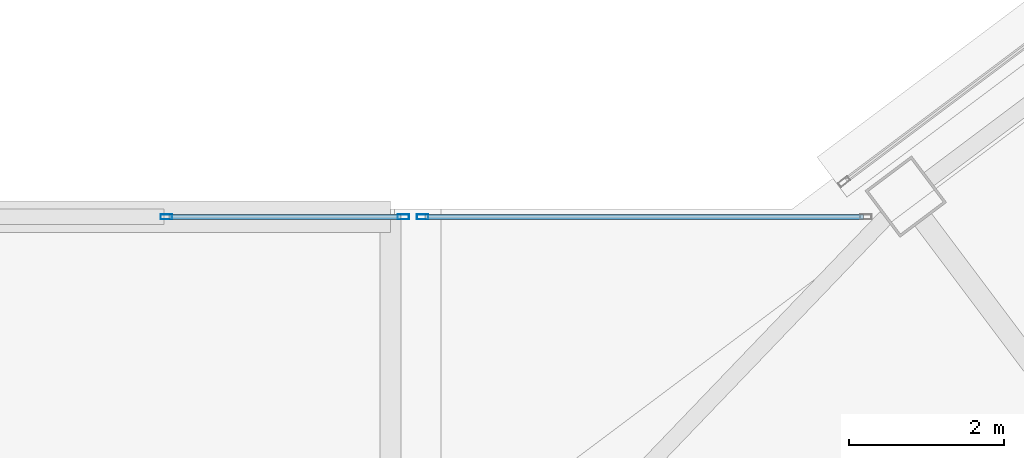
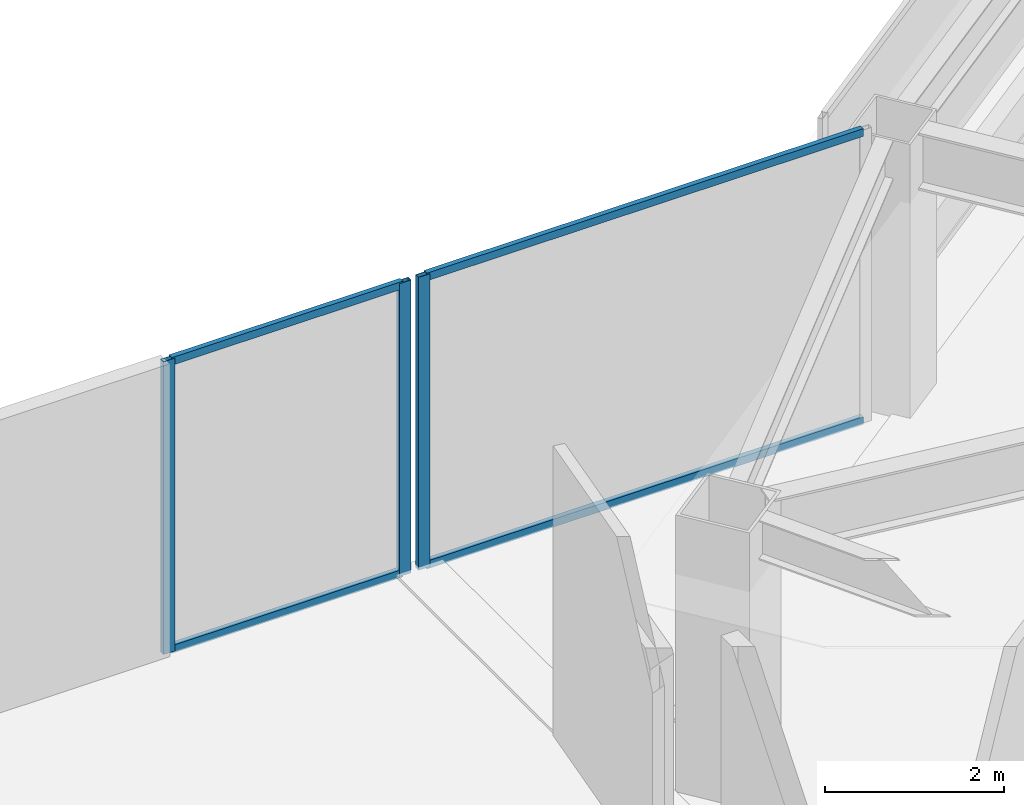
# One storey, part 25 of 51: 7 members, 2 elements without a shape of their own.
"""IFC4 building model written with IfcOpenShell, lengths in metres."""

from ifc_helpers import new_model, si_unit, direction, frame, origin, origin_2d, place, context, subcontext, project, spatial, hollow_rectangle, extrude, material, material_profile, profile_set, type_object, element, aggregate, save


model = new_model("IFC4")

# Units and contexts
model_context = context("Model", 3, precision=1e-05, world=origin(), true_north=direction((0.0, 1.0)))
body_context = subcontext(model_context, "Body", "Model", "MODEL_VIEW")
ifc_project = project(units=[si_unit("LENGTHUNIT", "METRE"), si_unit("AREAUNIT", "SQUARE_METRE"), si_unit("VOLUMEUNIT", "CUBIC_METRE"), si_unit("PLANEANGLEUNIT", "RADIAN"), si_unit("MASSUNIT", "GRAM", prefix="KILO")], contexts=[model_context])

# Site, building, storey
site_placement = place(None, origin())
site = spatial("IfcSite", under=ifc_project, at=site_placement, CompositionType="ELEMENT")
building_placement = place(site_placement, origin())
building = spatial("IfcBuilding", under=site, at=building_placement, Name="Tashvorn Skyway Center", CompositionType="ELEMENT")
storey_placement = place(building_placement, frame((0.0, 0.0, 251.39990234375)))
storey = spatial("IfcBuildingStorey", under=building, at=storey_placement, Name="L68", CompositionType="ELEMENT", Elevation=251.39990234375)

# Curtain wall, members
ifc_material = material(Name="Thermally broken bronze-anodized aluminium 6063-T6", Category="aluminium")
curtain_wall_type = type_object("IfcCurtainWallType", Name="CW-CW-SKY", PredefinedType="NOTDEFINED", material=ifc_material)
curtain_wall_1_placement = place(storey_placement, origin())
curtain_wall_1 = element("IfcCurtainWall", 1, at=curtain_wall_1_placement, inside=storey, type_object=curtain_wall_type, Name="Sky-Park L68 Bridge North Curtain Wall Glazing Group 3", PredefinedType="NOTDEFINED")
ifc_material_profile_1 = material_profile(ifc_material, hollow_rectangle(XDim=0.06494140625, YDim=0.14990234375, WallThickness=0.00390625, at=origin_2d()), Name="ALU-MULL-65x150")
ifc_profile_set_1 = profile_set([ifc_material_profile_1], Name="Thermally broken bronze-anodized aluminium 6063-T6")
member_type_1 = type_object("IfcMemberType", Name="CWM-CW-SKY", PredefinedType="MULLION", material=ifc_profile_set_1)
member_1_placement = place(storey_placement, frame((91.617431640625, 39.89990234375, 0.0), z_axis=(0.0, 0.0, 1.0), x_axis=(0.0, 1.0, 0.0)))
member_1 = element("IfcMember", 2, at=member_1_placement, type_object=member_type_1, Name="CW-SKY mullion 1", PredefinedType="MULLION", context=body_context, shape_type="SweptSolid", body=[
    extrude(hollow_rectangle(XDim=0.06494140625, YDim=0.14990234375, WallThickness=0.00390625, at=origin_2d()), origin(), (0.0, 0.0, 1.0), 4.0),
])
member_2_placement = place(storey_placement, frame((94.66748046875, 39.89990234375, 0.0), z_axis=(0.0, 0.0, 1.0), x_axis=(0.0, 1.0, 0.0)))
member_2 = element("IfcMember", 3, at=member_2_placement, type_object=member_type_1, Name="CW-SKY mullion 2", PredefinedType="MULLION", context=body_context, shape_type="SweptSolid", body=[
    extrude(hollow_rectangle(XDim=0.06494140625, YDim=0.14990234375, WallThickness=0.00390625, at=origin_2d()), origin(), (0.0, 0.0, 1.0), 4.0),
])

# Curtain wall, member
curtain_wall_2_placement = place(storey_placement, origin())
curtain_wall_2 = element("IfcCurtainWall", 4, at=curtain_wall_2_placement, inside=storey, type_object=curtain_wall_type, Name="Tower 2 L68 Vestibule North Curtain Wall", PredefinedType="NOTDEFINED")
member_3_placement = place(storey_placement, frame((94.91259765625, 39.89990234375, 0.0), z_axis=(0.0, 0.0, 1.0), x_axis=(0.0, 1.0, 0.0)))
member_3 = element("IfcMember", 5, at=member_3_placement, type_object=member_type_1, Name="CW-SKY mullion 1", PredefinedType="MULLION", context=body_context, shape_type="SweptSolid", body=[
    extrude(hollow_rectangle(XDim=0.06494140625, YDim=0.14990234375, WallThickness=0.00390625, at=origin_2d()), origin(), (0.0, 0.0, 1.0), 4.0),
])

# Member
ifc_material_profile_2 = material_profile(ifc_material, hollow_rectangle(XDim=0.06494140625, YDim=0.10498046875, WallThickness=0.00390625, at=origin_2d()), Name="ALU-TRAN-65x105")
ifc_profile_set_2 = profile_set([ifc_material_profile_2], Name="Thermally broken bronze-anodized aluminium 6063-T6")
member_type_2 = type_object("IfcMemberType", Name="CWT-CW-SKY", PredefinedType="USERDEFINED", material=ifc_profile_set_2)
member_4_placement = place(storey_placement, frame((91.64990234375, 39.89990234375, 0.03271484375), z_axis=(1.0, 0.0, 0.0), x_axis=(0.0, 1.0, 0.0)))
member_4 = element("IfcMember", 6, at=member_4_placement, type_object=member_type_2, Name="CW-SKY transom 1.1", ObjectType="TRANSOM", PredefinedType="USERDEFINED", context=body_context, shape_type="SweptSolid", body=[
    extrude(hollow_rectangle(XDim=0.06494140625, YDim=0.10498046875, WallThickness=0.00390625, at=origin_2d()), origin(), (0.0, 0.0, 1.0), 2.985107421875),
])

member_5_placement = place(storey_placement, frame((91.64990234375, 39.89990234375, 3.967529296875), z_axis=(1.0, 0.0, 0.0), x_axis=(0.0, 1.0, 0.0)))
member_5 = element("IfcMember", 7, at=member_5_placement, type_object=member_type_2, Name="CW-SKY transom 1.2", ObjectType="TRANSOM", PredefinedType="USERDEFINED", context=body_context, shape_type="SweptSolid", body=[
    extrude(hollow_rectangle(XDim=0.06494140625, YDim=0.10498046875, WallThickness=0.00390625, at=origin_2d()), origin(), (0.0, 0.0, 1.0), 2.985107421875),
])

aggregate(curtain_wall_1, [member_1, member_2, member_4, member_5])

member_6_placement = place(storey_placement, frame((94.945068359375, 39.89990234375, 0.03271484375), z_axis=(1.0, 0.0, 0.0), x_axis=(0.0, 1.0, 0.0)))
member_6 = element("IfcMember", 8, at=member_6_placement, type_object=member_type_2, Name="CW-SKY transom 1.1", ObjectType="TRANSOM", PredefinedType="USERDEFINED", context=body_context, shape_type="SweptSolid", body=[
    extrude(hollow_rectangle(XDim=0.06494140625, YDim=0.10498046875, WallThickness=0.00390625, at=origin_2d()), origin(), (0.0, 0.0, 1.0), 5.639892578125),
])

member_7_placement = place(storey_placement, frame((94.945068359375, 39.89990234375, 3.967529296875), z_axis=(1.0, 0.0, 0.0), x_axis=(0.0, 1.0, 0.0)))
member_7 = element("IfcMember", 9, at=member_7_placement, type_object=member_type_2, Name="CW-SKY transom 1.2", ObjectType="TRANSOM", PredefinedType="USERDEFINED", context=body_context, shape_type="SweptSolid", body=[
    extrude(hollow_rectangle(XDim=0.06494140625, YDim=0.10498046875, WallThickness=0.00390625, at=origin_2d()), origin(), (0.0, 0.0, 1.0), 5.639892578125),
])

aggregate(curtain_wall_2, [member_3, member_6, member_7])

save(model, "model.ifc")
